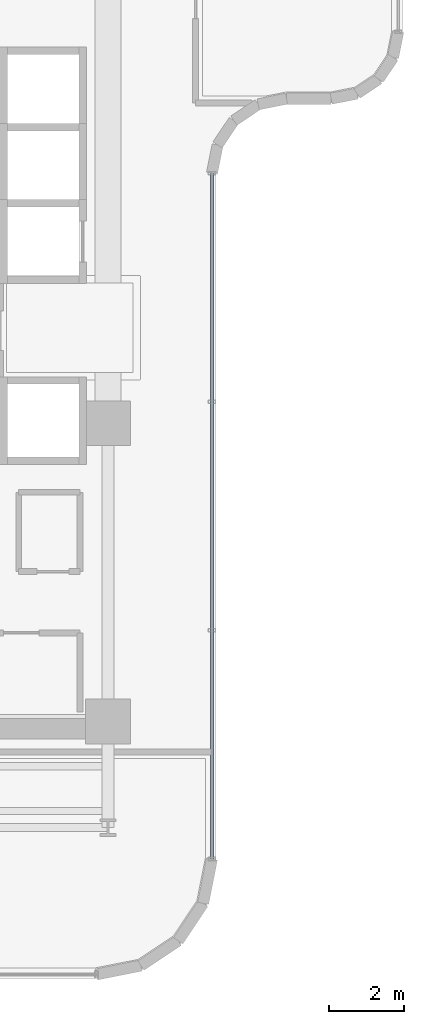
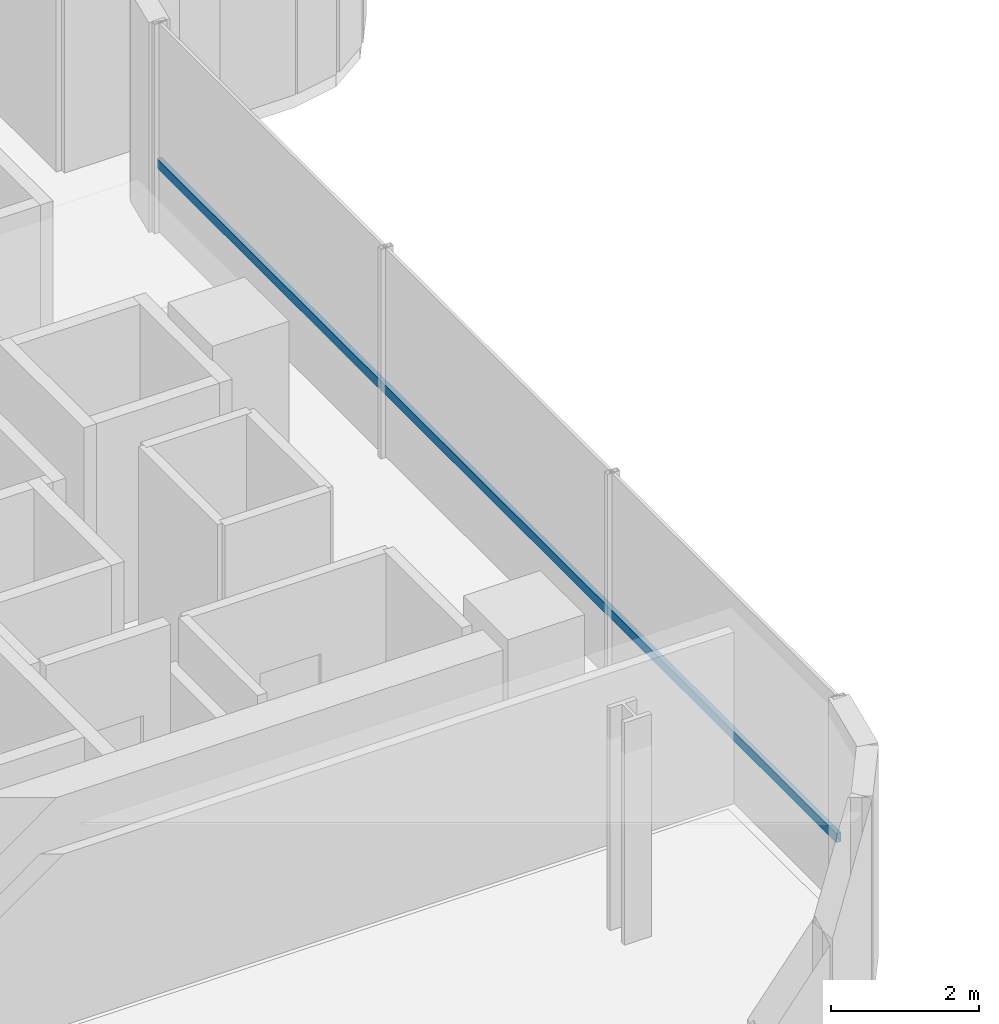
# One storey, part 6 of 34: 1 member, 1 element without a shape of its own.
"""IFC4 building model written with IfcOpenShell, lengths in metres."""

import ifcopenshell
import ifcopenshell.guid

model = None  # the IFC model being written
_history = None  # IfcOwnerHistory: only IFC2X3 demands one
_inside = {}  # id of a spatial element -> (the spatial element, [elements in it])
_under = {}  # id of a project, library or spatial element -> (it, [spatial elements below it])
_declared = {}  # id of a project -> (the project, [libraries it declares])
_typed = {}  # id of a type object -> (the type object, [elements of that type])
_made_of = {}  # id of a material, layer set ... -> (it, [elements and type objects made of it])


def new_model(schema):
    """Start an empty IFC model of exactly this schema.

    Asked for "IFC4X3", IfcOpenShell would pick the latest addendum, in which some entities
    have other attributes; the version numbers below select the first issue.
    IFC2X3 requires an IfcOwnerHistory on every rooted entity: one is made here for all.
    """
    global model, _history
    if schema == "IFC4X3":
        model = ifcopenshell.file(schema_version=(4, 3, 0, 0))
    else:
        model = ifcopenshell.file(schema=schema)
    _inside.clear()
    _under.clear()
    _declared.clear()
    _typed.clear()
    _made_of.clear()
    _history = None
    if model.schema == "IFC2X3":
        org = make("IfcOrganization", Name="unknown")
        user = make(
            "IfcPersonAndOrganization",
            ThePerson=make("IfcPerson", FamilyName="unknown"),
            TheOrganization=org,
        )
        app = make(
            "IfcApplication",
            ApplicationDeveloper=org,
            Version="unknown",
            ApplicationFullName="unknown",
            ApplicationIdentifier="unknown",
        )
        _history = make(
            "IfcOwnerHistory",
            OwningUser=user,
            OwningApplication=app,
            ChangeAction="ADDED",
            CreationDate=0,
        )
    return model


def make(cls, **values):
    """One entity of the class cls with the attributes given. An attribute that is None is left unset."""
    return model.create_entity(
        cls, **{name: value for name, value in values.items() if value is not None}
    )


def rooted(cls, **values):
    """An entity with a GlobalId (a new one), such as an element, a storey or a relation."""
    return make(cls, GlobalId=ifcopenshell.guid.new(), OwnerHistory=_history, **values)


def si_unit(unit_type, name, prefix=None):
    """IfcSIUnit, for example si_unit("LENGTHUNIT", "METRE", prefix="MILLI")."""
    return make("IfcSIUnit", UnitType=unit_type, Prefix=prefix, Name=name)


def assignment(units):
    """IfcUnitAssignment: the units of a project."""
    return None if units is None else make("IfcUnitAssignment", Units=units)


def point(xyz):
    """IfcCartesianPoint."""
    return None if xyz is None else make("IfcCartesianPoint", Coordinates=xyz)


def direction(xyz):
    """IfcDirection."""
    return None if xyz is None else make("IfcDirection", DirectionRatios=xyz)


def frame(location, z_axis=None, x_axis=None):
    """IfcAxis2Placement3D, a coordinate frame: its origin and axes. An axis left out is left unset."""
    return make(
        "IfcAxis2Placement3D",
        Location=point(location),
        Axis=direction(z_axis),
        RefDirection=direction(x_axis),
    )


def frame_2d(location, x_axis=None):
    """IfcAxis2Placement2D, a coordinate frame in the plane: its origin and x axis."""
    return make(
        "IfcAxis2Placement2D", Location=point(location), RefDirection=direction(x_axis)
    )


def origin():
    """The frame at (0, 0, 0) with its axes left unset."""
    return frame((0.0, 0.0, 0.0))


def origin_2d():
    """The frame at (0, 0) in the plane with its x axis left unset."""
    return frame_2d((0.0, 0.0))


def place(relative_to, where):
    """IfcLocalPlacement: puts the frame where relative to a parent placement (None: the world)."""
    return make(
        "IfcLocalPlacement", PlacementRelTo=relative_to, RelativePlacement=where
    )


def context(
    kind, dimensions, precision=None, world=None, true_north=None, identifier=None
):
    """IfcGeometricRepresentationContext, for example the 3D "Model" context."""
    return make(
        "IfcGeometricRepresentationContext",
        ContextIdentifier=identifier,
        ContextType=kind,
        CoordinateSpaceDimension=dimensions,
        Precision=precision,
        WorldCoordinateSystem=world,
        TrueNorth=true_north,
    )


def subcontext(parent, identifier, kind, view, scale=None):
    """IfcGeometricRepresentationSubContext, for example "Body" below "Model"."""
    return make(
        "IfcGeometricRepresentationSubContext",
        ContextIdentifier=identifier,
        ContextType=kind,
        ParentContext=parent,
        TargetScale=scale,
        TargetView=view,
    )


def project(units=None, contexts=None):
    """IfcProject with its units and contexts."""
    return rooted(
        "IfcProject",
        Name="project",
        RepresentationContexts=contexts,
        UnitsInContext=assignment(units),
    )


def spatial(cls, under=None, at=None, **own):
    """A site, building, storey or space (cls), placed at a placement, below another one or the project."""
    s = rooted(cls, ObjectPlacement=at, **own)
    if under is not None:
        _under.setdefault(under.id(), (under, []))[1].append(s)
    return s


def profile(cls, at=None, kind="AREA", **sizes):
    """A parametric profile (cls). Its sizes go by their IFC names, for example OverallWidth=200.0."""
    return make(cls, ProfileType=kind, Position=at, **sizes)


def hollow_rectangle(**sizes):
    """IfcRectangleHollowProfileDef."""
    return profile("IfcRectangleHollowProfileDef", **sizes)


def extrude(swept, where, along, depth):
    """IfcExtrudedAreaSolid: the profile swept, set in the frame where, extruded along a direction by depth."""
    return make(
        "IfcExtrudedAreaSolid",
        SweptArea=swept,
        Position=where,
        ExtrudedDirection=direction(along),
        Depth=depth,
    )


def shape(context_of_items, identifier, shape_type, items):
    """IfcShapeRepresentation: the items that make up one representation, for example the "Body"."""
    return make(
        "IfcShapeRepresentation",
        ContextOfItems=context_of_items,
        RepresentationIdentifier=identifier,
        RepresentationType=shape_type,
        Items=items,
    )


def source(mapping_origin, context_of_items, identifier, shape_type, items):
    """IfcRepresentationMap: a shape defined once, which mapped items show again and again."""
    return make(
        "IfcRepresentationMap",
        MappingOrigin=mapping_origin,
        MappedRepresentation=shape(context_of_items, identifier, shape_type, items),
    )


def transform(
    local_origin,
    x_axis=None,
    y_axis=None,
    z_axis=None,
    scale=None,
    scale2=None,
    scale3=None,
    uniform=True,
):
    """IfcCartesianTransformationOperator3D, or its non-uniform kind. x_axis, y_axis, z_axis: its Axis1, 2, 3."""
    if uniform:
        return make(
            "IfcCartesianTransformationOperator3D",
            Axis1=direction(x_axis),
            Axis2=direction(y_axis),
            LocalOrigin=point(local_origin),
            Scale=scale,
            Axis3=direction(z_axis),
        )
    return make(
        "IfcCartesianTransformationOperator3DnonUniform",
        Axis1=direction(x_axis),
        Axis2=direction(y_axis),
        LocalOrigin=point(local_origin),
        Scale=scale,
        Axis3=direction(z_axis),
        Scale2=scale2,
        Scale3=scale3,
    )


def mapped(mapping_source, mapping_target):
    """IfcMappedItem: shows the shape of a source again, moved by a transform."""
    return make(
        "IfcMappedItem", MappingSource=mapping_source, MappingTarget=mapping_target
    )


def material(Name=None, Category=None):
    """IfcMaterial."""
    return make("IfcMaterial", Name=Name, Category=Category)


def material_profile(
    of_material, cross_section, Name=None, Category=None, Priority=None
):
    """IfcMaterialProfile: a cross section and its material."""
    return make(
        "IfcMaterialProfile",
        Name=Name,
        Material=of_material,
        Profile=cross_section,
        Priority=Priority,
        Category=Category,
    )


def profile_set(profiles, Name=None, composite=None):
    """IfcMaterialProfileSet."""
    return make(
        "IfcMaterialProfileSet",
        Name=Name,
        MaterialProfiles=profiles,
        CompositeProfile=composite,
    )


def made_of(thing, what):
    """Note that an element or type object is made of a material, layer set ...; save() writes the relation."""
    if what is not None:
        _made_of.setdefault(what.id(), (what, []))[1].append(thing)
    return thing


def type_object(cls, material=None, **own):
    """A type object (cls), such as IfcWallType, which elements share."""
    return made_of(rooted(cls, **own), material)


def element(
    cls,
    number,
    at=None,
    inside=None,
    cuts=None,
    type_object=None,
    material=None,
    context=None,
    identifier="Body",
    shape_type=None,
    held_by="IfcProductDefinitionShape",
    body=None,
    shapes=None,
    **own,
):
    """One element of the class cls, such as IfcWall. Its Tag is "e" and its number.

    at: its placement. inside: the storey or other place that contains it. cuts: it is an
    opening in that element (IfcRelVoidsElement). A single representation is given by context,
    identifier, shape_type and body (its items); several are given by shapes. held_by: the class
    of the entity that holds the representations. save() writes the other relations.
    """
    e = rooted(cls, Tag="e%d" % number, ObjectPlacement=at, **own)
    if body is not None:
        shapes = [shape(context, identifier, shape_type, body)]
    if shapes is not None:
        e.Representation = make(held_by, Representations=shapes)
    if inside is not None:
        _inside.setdefault(inside.id(), (inside, []))[1].append(e)
    if cuts is not None:
        rooted(
            "IfcRelVoidsElement", RelatingBuildingElement=cuts, RelatedOpeningElement=e
        )
    if type_object is not None:
        _typed.setdefault(type_object.id(), (type_object, []))[1].append(e)
    return made_of(e, material)


def aggregate(whole, parts):
    """IfcRelAggregates: a whole, such as a stair, and the parts it consists of."""
    return rooted("IfcRelAggregates", RelatingObject=whole, RelatedObjects=parts)


def save(model, path):
    """Write the relations noted so far, then the file.

    IfcRelAggregates (storeys below a building ...), IfcRelContainedInSpatialStructure (elements
    in a storey), IfcRelDefinesByType, IfcRelAssociatesMaterial and IfcRelDeclares: one each for
    every whole, place, type object, material and project.
    """
    for whole, parts in _under.values():
        aggregate(whole, parts)
    for where, things in _inside.values():
        rooted(
            "IfcRelContainedInSpatialStructure",
            RelatedElements=things,
            RelatingStructure=where,
        )
    for kind, things in _typed.values():
        rooted("IfcRelDefinesByType", RelatedObjects=things, RelatingType=kind)
    for what, things in _made_of.values():
        rooted("IfcRelAssociatesMaterial", RelatedObjects=things, RelatingMaterial=what)
    for by, libraries in _declared.values():
        rooted("IfcRelDeclares", RelatingContext=by, RelatedDefinitions=libraries)
    model.write(path)


model = new_model("IFC4")

# Units and contexts
model_context = context("Model", 3, precision=1e-05, world=origin(), true_north=direction((0.0, 1.0)))
body_context = subcontext(model_context, "Body", "Model", "MODEL_VIEW")
ifc_project = project(units=[si_unit("LENGTHUNIT", "METRE"), si_unit("AREAUNIT", "SQUARE_METRE"), si_unit("VOLUMEUNIT", "CUBIC_METRE"), si_unit("PLANEANGLEUNIT", "RADIAN"), si_unit("MASSUNIT", "GRAM", prefix="KILO")], contexts=[model_context])

# Site, building, storey
site_placement = place(None, origin())
site = spatial("IfcSite", under=ifc_project, at=site_placement, CompositionType="ELEMENT")
building_placement = place(site_placement, origin())
building = spatial("IfcBuilding", under=site, at=building_placement, Name="Valdorenza Pilgrim Sanctuary Tower", CompositionType="ELEMENT")
storey_placement = place(building_placement, frame((0.0, 0.0, 164.89990234375)))
storey = spatial("IfcBuildingStorey", under=building, at=storey_placement, Name="L42", CompositionType="ELEMENT", Elevation=164.89990234375)

# Curtain wall, member
ifc_material_1 = material(Name="Curtain-wall IGU glazing", Category="glass")
curtain_wall_type = type_object("IfcCurtainWallType", Name="CW-SYS-02", PredefinedType="NOTDEFINED", material=ifc_material_1)
curtain_wall_placement = place(storey_placement, origin())
curtain_wall = element("IfcCurtainWall", 1, at=curtain_wall_placement, inside=storey, type_object=curtain_wall_type, Name="L42 Curtain Wall CW-L42-1-21", PredefinedType="NOTDEFINED")
ifc_material_2 = material(Name="Anodised aluminium AW-6060", Category="aluminium")
ifc_material_profile = material_profile(ifc_material_2, hollow_rectangle(XDim=0.074951171875, YDim=0.14990234375, WallThickness=0.00390625, at=origin_2d()), Name="ALU-T 150x75x4")
ifc_profile_set = profile_set([ifc_material_profile], Name="Anodised aluminium AW-6060")
member_type = type_object("IfcMemberType", Name="CW-TRN-02", PredefinedType="USERDEFINED", material=ifc_profile_set)
shared_shape = source(origin(), body_context, "Body", "SweptSolid", [
    extrude(hollow_rectangle(XDim=0.074951171875, YDim=0.14990234375, WallThickness=0.00390625, at=origin_2d()), origin(), (0.0, 0.0, 1.0), 18.400146484375),
])
member_placement = place(storey_placement, frame((-9.610107421875, 4.11083984375, 1.1201171875), z_axis=(0.0, -1.0, 0.0), x_axis=(1.0, 0.0, 0.0)))
member = element("IfcMember", 2, at=member_placement, type_object=member_type, Name="CW-L42-1-21 Transom 1", ObjectType="TRANSOM", PredefinedType="USERDEFINED", context=body_context, shape_type="MappedRepresentation", body=[
    mapped(shared_shape, transform((0.0, 0.0, 0.0), x_axis=(1.0, 0.0, 0.0), y_axis=(0.0, 1.0, 0.0), z_axis=(0.0, 0.0, 1.0), scale=1.0)),
])
aggregate(curtain_wall, [member])

save(model, "model.ifc")
